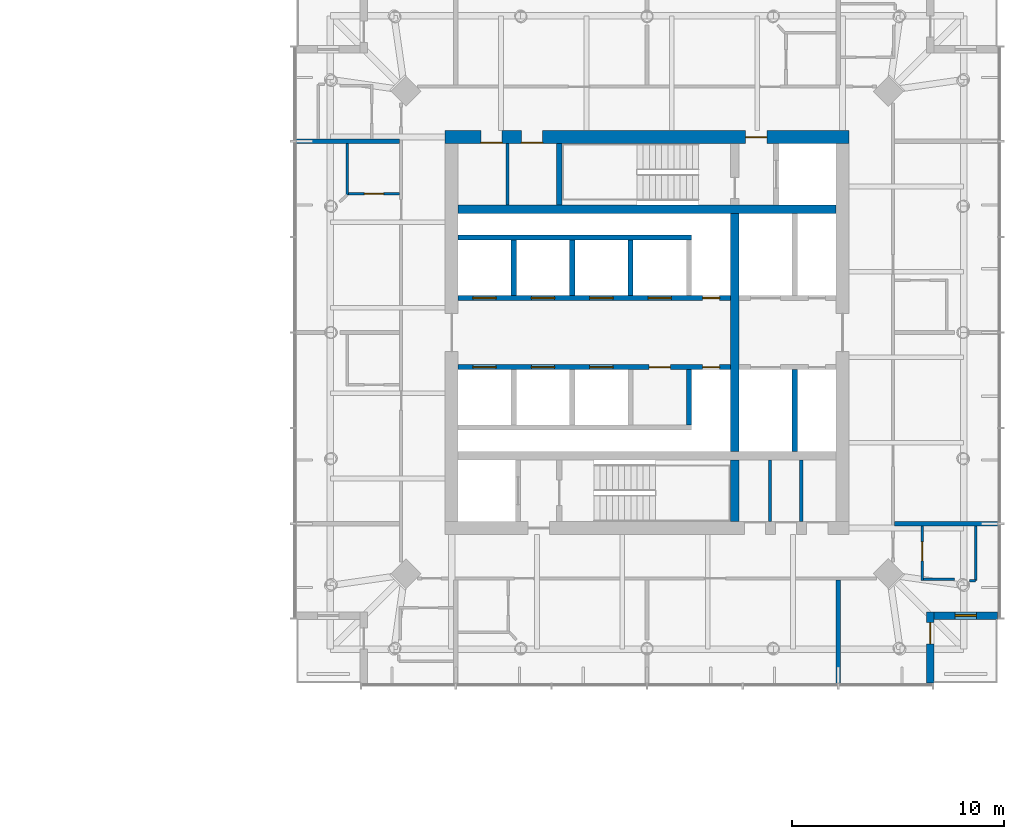
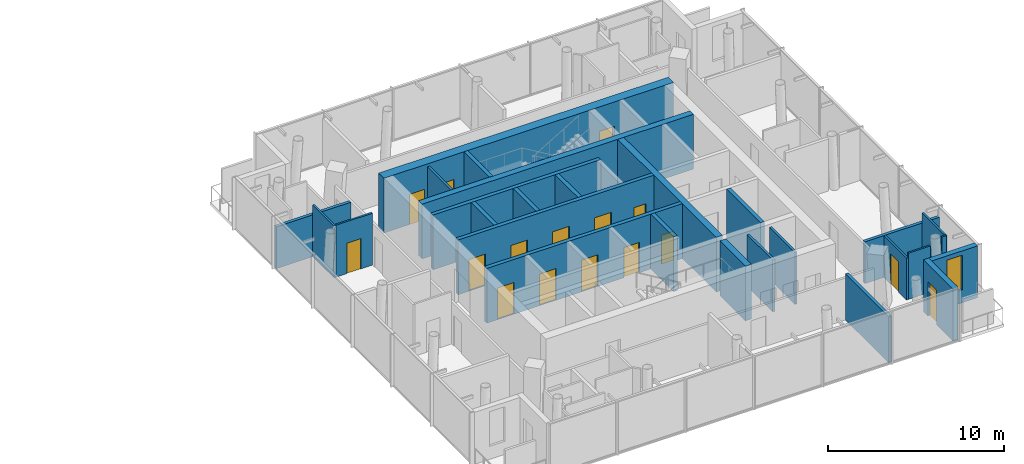
# One storey, part 14 of 19: 27 walls, 16 doors, 1 window, 17 openings.
"""IFC4 building model written with IfcOpenShell, lengths in metres."""

import ifcopenshell
import ifcopenshell.guid

model = None  # the IFC model being written
_history = None  # IfcOwnerHistory: only IFC2X3 demands one
_inside = {}  # id of a spatial element -> (the spatial element, [elements in it])
_under = {}  # id of a project, library or spatial element -> (it, [spatial elements below it])
_declared = {}  # id of a project -> (the project, [libraries it declares])
_typed = {}  # id of a type object -> (the type object, [elements of that type])
_made_of = {}  # id of a material, layer set ... -> (it, [elements and type objects made of it])


def new_model(schema):
    """Start an empty IFC model of exactly this schema.

    Asked for "IFC4X3", IfcOpenShell would pick the latest addendum, in which some entities
    have other attributes; the version numbers below select the first issue.
    IFC2X3 requires an IfcOwnerHistory on every rooted entity: one is made here for all.
    """
    global model, _history
    if schema == "IFC4X3":
        model = ifcopenshell.file(schema_version=(4, 3, 0, 0))
    else:
        model = ifcopenshell.file(schema=schema)
    _inside.clear()
    _under.clear()
    _declared.clear()
    _typed.clear()
    _made_of.clear()
    _history = None
    if model.schema == "IFC2X3":
        org = make("IfcOrganization", Name="unknown")
        user = make(
            "IfcPersonAndOrganization",
            ThePerson=make("IfcPerson", FamilyName="unknown"),
            TheOrganization=org,
        )
        app = make(
            "IfcApplication",
            ApplicationDeveloper=org,
            Version="unknown",
            ApplicationFullName="unknown",
            ApplicationIdentifier="unknown",
        )
        _history = make(
            "IfcOwnerHistory",
            OwningUser=user,
            OwningApplication=app,
            ChangeAction="ADDED",
            CreationDate=0,
        )
    return model


def make(cls, **values):
    """One entity of the class cls with the attributes given. An attribute that is None is left unset."""
    return model.create_entity(
        cls, **{name: value for name, value in values.items() if value is not None}
    )


def rooted(cls, **values):
    """An entity with a GlobalId (a new one), such as an element, a storey or a relation."""
    return make(cls, GlobalId=ifcopenshell.guid.new(), OwnerHistory=_history, **values)


def si_unit(unit_type, name, prefix=None):
    """IfcSIUnit, for example si_unit("LENGTHUNIT", "METRE", prefix="MILLI")."""
    return make("IfcSIUnit", UnitType=unit_type, Prefix=prefix, Name=name)


def assignment(units):
    """IfcUnitAssignment: the units of a project."""
    return None if units is None else make("IfcUnitAssignment", Units=units)


def point(xyz):
    """IfcCartesianPoint."""
    return None if xyz is None else make("IfcCartesianPoint", Coordinates=xyz)


def direction(xyz):
    """IfcDirection."""
    return None if xyz is None else make("IfcDirection", DirectionRatios=xyz)


def frame(location, z_axis=None, x_axis=None):
    """IfcAxis2Placement3D, a coordinate frame: its origin and axes. An axis left out is left unset."""
    return make(
        "IfcAxis2Placement3D",
        Location=point(location),
        Axis=direction(z_axis),
        RefDirection=direction(x_axis),
    )


def frame_2d(location, x_axis=None):
    """IfcAxis2Placement2D, a coordinate frame in the plane: its origin and x axis."""
    return make(
        "IfcAxis2Placement2D", Location=point(location), RefDirection=direction(x_axis)
    )


def origin():
    """The frame at (0, 0, 0) with its axes left unset."""
    return frame((0.0, 0.0, 0.0))


def place(relative_to, where):
    """IfcLocalPlacement: puts the frame where relative to a parent placement (None: the world)."""
    return make(
        "IfcLocalPlacement", PlacementRelTo=relative_to, RelativePlacement=where
    )


def context(
    kind, dimensions, precision=None, world=None, true_north=None, identifier=None
):
    """IfcGeometricRepresentationContext, for example the 3D "Model" context."""
    return make(
        "IfcGeometricRepresentationContext",
        ContextIdentifier=identifier,
        ContextType=kind,
        CoordinateSpaceDimension=dimensions,
        Precision=precision,
        WorldCoordinateSystem=world,
        TrueNorth=true_north,
    )


def subcontext(parent, identifier, kind, view, scale=None):
    """IfcGeometricRepresentationSubContext, for example "Body" below "Model"."""
    return make(
        "IfcGeometricRepresentationSubContext",
        ContextIdentifier=identifier,
        ContextType=kind,
        ParentContext=parent,
        TargetScale=scale,
        TargetView=view,
    )


def project(units=None, contexts=None):
    """IfcProject with its units and contexts."""
    return rooted(
        "IfcProject",
        Name="project",
        RepresentationContexts=contexts,
        UnitsInContext=assignment(units),
    )


def spatial(cls, under=None, at=None, **own):
    """A site, building, storey or space (cls), placed at a placement, below another one or the project."""
    s = rooted(cls, ObjectPlacement=at, **own)
    if under is not None:
        _under.setdefault(under.id(), (under, []))[1].append(s)
    return s


def profile(cls, at=None, kind="AREA", **sizes):
    """A parametric profile (cls). Its sizes go by their IFC names, for example OverallWidth=200.0."""
    return make(cls, ProfileType=kind, Position=at, **sizes)


def rectangle(**sizes):
    """IfcRectangleProfileDef."""
    return profile("IfcRectangleProfileDef", **sizes)


def extrude(swept, where, along, depth):
    """IfcExtrudedAreaSolid: the profile swept, set in the frame where, extruded along a direction by depth."""
    return make(
        "IfcExtrudedAreaSolid",
        SweptArea=swept,
        Position=where,
        ExtrudedDirection=direction(along),
        Depth=depth,
    )


def shape(context_of_items, identifier, shape_type, items):
    """IfcShapeRepresentation: the items that make up one representation, for example the "Body"."""
    return make(
        "IfcShapeRepresentation",
        ContextOfItems=context_of_items,
        RepresentationIdentifier=identifier,
        RepresentationType=shape_type,
        Items=items,
    )


def material(Name=None, Category=None):
    """IfcMaterial."""
    return make("IfcMaterial", Name=Name, Category=Category)


def layer(
    of_material, thickness, ventilated=None, Name=None, Category=None, Priority=None
):
    """IfcMaterialLayer: one layer of a wall or slab, of a material (None: an air gap)."""
    return make(
        "IfcMaterialLayer",
        Material=of_material,
        LayerThickness=thickness,
        IsVentilated=ventilated,
        Name=Name,
        Category=Category,
        Priority=Priority,
    )


def layer_set(layers, Name=None):
    """IfcMaterialLayerSet."""
    return make("IfcMaterialLayerSet", MaterialLayers=layers, LayerSetName=Name)


def made_of(thing, what):
    """Note that an element or type object is made of a material, layer set ...; save() writes the relation."""
    if what is not None:
        _made_of.setdefault(what.id(), (what, []))[1].append(thing)
    return thing


def type_object(cls, material=None, **own):
    """A type object (cls), such as IfcWallType, which elements share."""
    return made_of(rooted(cls, **own), material)


def element(
    cls,
    number,
    at=None,
    inside=None,
    cuts=None,
    type_object=None,
    material=None,
    context=None,
    identifier="Body",
    shape_type=None,
    held_by="IfcProductDefinitionShape",
    body=None,
    shapes=None,
    **own,
):
    """One element of the class cls, such as IfcWall. Its Tag is "e" and its number.

    at: its placement. inside: the storey or other place that contains it. cuts: it is an
    opening in that element (IfcRelVoidsElement). A single representation is given by context,
    identifier, shape_type and body (its items); several are given by shapes. held_by: the class
    of the entity that holds the representations. save() writes the other relations.
    """
    e = rooted(cls, Tag="e%d" % number, ObjectPlacement=at, **own)
    if body is not None:
        shapes = [shape(context, identifier, shape_type, body)]
    if shapes is not None:
        e.Representation = make(held_by, Representations=shapes)
    if inside is not None:
        _inside.setdefault(inside.id(), (inside, []))[1].append(e)
    if cuts is not None:
        rooted(
            "IfcRelVoidsElement", RelatingBuildingElement=cuts, RelatedOpeningElement=e
        )
    if type_object is not None:
        _typed.setdefault(type_object.id(), (type_object, []))[1].append(e)
    return made_of(e, material)


def fill(opening, filler):
    """IfcRelFillsElement: the door or window that sits in an opening."""
    return rooted(
        "IfcRelFillsElement",
        RelatingOpeningElement=opening,
        RelatedBuildingElement=filler,
    )


def aggregate(whole, parts):
    """IfcRelAggregates: a whole, such as a stair, and the parts it consists of."""
    return rooted("IfcRelAggregates", RelatingObject=whole, RelatedObjects=parts)


def save(model, path):
    """Write the relations noted so far, then the file.

    IfcRelAggregates (storeys below a building ...), IfcRelContainedInSpatialStructure (elements
    in a storey), IfcRelDefinesByType, IfcRelAssociatesMaterial and IfcRelDeclares: one each for
    every whole, place, type object, material and project.
    """
    for whole, parts in _under.values():
        aggregate(whole, parts)
    for where, things in _inside.values():
        rooted(
            "IfcRelContainedInSpatialStructure",
            RelatedElements=things,
            RelatingStructure=where,
        )
    for kind, things in _typed.values():
        rooted("IfcRelDefinesByType", RelatedObjects=things, RelatingType=kind)
    for what, things in _made_of.values():
        rooted("IfcRelAssociatesMaterial", RelatedObjects=things, RelatingMaterial=what)
    for by, libraries in _declared.values():
        rooted("IfcRelDeclares", RelatingContext=by, RelatedDefinitions=libraries)
    model.write(path)


model = new_model("IFC4")

# Units and contexts
model_context = context("Model", 3, precision=1e-05, world=origin(), true_north=direction((0.0, 1.0)))
body_context = subcontext(model_context, "Body", "Model", "MODEL_VIEW")
ifc_project = project(units=[si_unit("LENGTHUNIT", "METRE"), si_unit("AREAUNIT", "SQUARE_METRE"), si_unit("VOLUMEUNIT", "CUBIC_METRE"), si_unit("PLANEANGLEUNIT", "RADIAN"), si_unit("MASSUNIT", "GRAM", prefix="KILO")], contexts=[model_context])

# Site, building, storey
site_placement = place(None, origin())
site = spatial("IfcSite", under=ifc_project, at=site_placement, CompositionType="ELEMENT")
building_placement = place(site_placement, origin())
building = spatial("IfcBuilding", under=site, at=building_placement, Name="Ostroluk Exchange", CompositionType="ELEMENT")
storey_placement = place(building_placement, frame((0.0, 0.0, 116.0)))
storey = spatial("IfcBuildingStorey", under=building, at=storey_placement, Name="L29", CompositionType="ELEMENT", Elevation=116.0)

# Walls
ifc_material_1 = material(Name="Concrete blockwork", Category="masonry")
ifc_layer_1 = layer(ifc_material_1, 0.14990234375)
ifc_layer_set_1 = layer_set([ifc_layer_1], Name="Blockwork plant room wall 150")
wall_type_1 = type_object("IfcWallType", Name="Blockwork plant room wall 150", PredefinedType="SOLIDWALL", material=ifc_layer_set_1)
for number, where, z_axis, x_axis, name in (
    (1, (122.79248046875, 37.10009765625, 0.0), (0.0, 0.0, 1.0), (0.0, 1.0, 0.0), "Core room wall"),
    (2, (124.2548828125, 37.10009765625, 0.0), (0.0, 0.0, 1.0), (0.0, 1.0, 0.0), "Core room wall"),
    (3, (110.425048828125, 52.0, 0.0), (0.0, 0.0, 1.0), (0.0, 1.0, 0.0), "Core room wall"),
):
    element("IfcWall", number, at=place(storey_placement, frame(where, z_axis=z_axis, x_axis=x_axis)), inside=storey, type_object=wall_type_1, Name=name, PredefinedType="SOLIDWALL", context=body_context, shape_type="SweptSolid", body=[
        extrude(rectangle(XDim=2.89990234375, YDim=0.14990234375, at=frame_2d((1.449951171875, 0.0))), origin(), (0.0, 0.0, 1.0), 3.60009765625),
    ])
ifc_material_2 = material(Name="Concrete C50/60", Category="concrete")
ifc_layer_2 = layer(ifc_material_2, 0.39990234375)
ifc_layer_set_2 = layer_set([ifc_layer_2], Name="Core cross wall 400 C50/60")
wall_type_2 = type_object("IfcWallType", Name="Core cross wall 400 C50/60", PredefinedType="SHEAR", material=ifc_layer_set_2)
wall_1_placement = place(storey_placement, frame((108.10009765625, 51.800048828125, 0.0), z_axis=(0.0, 0.0, 1.0), x_axis=(1.0, 0.0, 0.0)))
element("IfcWall", 4, at=wall_1_placement, inside=storey, type_object=wall_type_2, Name="T2 core wall XN", PredefinedType="SHEAR", context=body_context, shape_type="SweptSolid", body=[
    extrude(rectangle(XDim=17.7998046875, YDim=0.39990234375, at=frame_2d((8.89990234375, 0.0))), origin(), (0.0, 0.0, 1.0), 3.800048828125),
])
wall_2_placement = place(storey_placement, frame((121.1298828125, 37.10009765625, 0.0), z_axis=(0.0, 0.0, 1.0), x_axis=(0.0, 1.0, 0.0)))
element("IfcWall", 5, at=wall_2_placement, inside=storey, type_object=wall_type_2, Name="T2 core wall YE1", PredefinedType="SHEAR", context=body_context, shape_type="SweptSolid", body=[
    extrude(rectangle(XDim=2.89990234375, YDim=0.39990234375, at=frame_2d((1.449951171875, 0.0))), origin(), (0.0, 0.0, 1.0), 3.800048828125),
])
wall_3_placement = place(storey_placement, frame((121.1298828125, 40.39990234375, 0.0), z_axis=(0.0, 0.0, 1.0), x_axis=(0.0, 1.0, 0.0)))
element("IfcWall", 6, at=wall_3_placement, inside=storey, type_object=wall_type_2, Name="T2 core wall YE2", PredefinedType="SHEAR", context=body_context, shape_type="SweptSolid", body=[
    extrude(rectangle(XDim=11.2001953125, YDim=0.39990234375, at=frame_2d((5.60009765625, 0.0))), origin(), (0.0, 0.0, 1.0), 3.800048828125),
])
ifc_material_3 = material(Name="Concrete C40/50", Category="concrete")
ifc_layer_3 = layer(ifc_material_3, 0.25)
ifc_layer_set_3 = layer_set([ifc_layer_3], Name="Core shaft wall 250")
wall_type_3 = type_object("IfcWallType", Name="Core shaft wall 250", PredefinedType="SHEAR", material=ifc_layer_set_3)
wall_4_placement = place(storey_placement, frame((112.875, 52.0, 0.0), z_axis=(0.0, 0.0, 1.0), x_axis=(0.0, 1.0, 0.0)))
element("IfcWall", 7, at=wall_4_placement, inside=storey, type_object=wall_type_3, Name="Stair shaft wall", PredefinedType="SHEAR", context=body_context, shape_type="SweptSolid", body=[
    extrude(rectangle(XDim=2.89990234375, YDim=0.25, at=frame_2d((1.449951171875, 0.0))), origin(), (0.0, 0.0, 1.0), 3.800048828125),
])
for number, where, z_axis, x_axis, name in (
    (8, (110.72509765625, 47.75, 0.0), (0.0, 0.0, 1.0), (0.0, 1.0, 0.0), "Lift shaft wall"),
    (9, (113.47509765625, 47.75, 0.0), (0.0, 0.0, 1.0), (0.0, 1.0, 0.0), "Lift shaft wall"),
    (10, (116.22509765625, 47.75, 0.0), (0.0, 0.0, 1.0), (0.0, 1.0, 0.0), "Lift shaft wall"),
):
    element("IfcWall", number, at=place(storey_placement, frame(where, z_axis=z_axis, x_axis=x_axis)), inside=storey, type_object=wall_type_3, Name=name, PredefinedType="SHEAR", context=body_context, shape_type="SweptSolid", body=[
        extrude(rectangle(XDim=2.60009765625, YDim=0.25, at=frame_2d((1.300048828125, 0.0))), origin(), (0.0, 0.0, 1.0), 3.800048828125),
    ])
wall_5_placement = place(storey_placement, frame((108.10009765625, 50.47509765625, 0.0), z_axis=(0.0, 0.0, 1.0), x_axis=(1.0, 0.0, 0.0)))
element("IfcWall", 11, at=wall_5_placement, inside=storey, type_object=wall_type_3, Name="Lift shaft wall", PredefinedType="SHEAR", context=body_context, shape_type="SweptSolid", body=[
    extrude(rectangle(XDim=11.0, YDim=0.25, at=frame_2d((5.5, 0.0))), origin(), (0.0, 0.0, 1.0), 3.800048828125),
])

# Wall, openings, doors
wall_6_placement = place(storey_placement, frame((108.10009765625, 47.625, 0.0), z_axis=(0.0, 0.0, 1.0), x_axis=(1.0, 0.0, 0.0)))
wall_6 = element("IfcWall", 12, at=wall_6_placement, inside=storey, type_object=wall_type_3, Name="Lift shaft front wall", PredefinedType="SHEAR", context=body_context, shape_type="SweptSolid", body=[
    extrude(rectangle(XDim=12.829833984375, YDim=0.25, at=frame_2d((6.4150390625, 0.0))), origin(), (0.0, 0.0, 1.0), 3.800048828125),
])
opening_1_placement = place(wall_6_placement, frame((0.699951171875, 0.0, 0.0)))
opening_1 = element("IfcOpeningElement", 13, at=opening_1_placement, cuts=wall_6, Name="Opening LD", PredefinedType="OPENING", context=body_context, shape_type="SweptSolid", body=[
    extrude(rectangle(XDim=1.10009765625, YDim=2.199951171875, at=frame_2d((0.550048828125, 1.10009765625))), frame((0.0, 0.135009765625, 0.0), z_axis=(0.0, -1.0, 0.0), x_axis=(1.0, 0.0, 0.0)), (0.0, 0.0, 1.0), 0.27001953125),
])
opening_2_placement = place(wall_6_placement, frame((3.449951171875, 0.0, 0.0)))
opening_2 = element("IfcOpeningElement", 14, at=opening_2_placement, cuts=wall_6, Name="Opening LD", PredefinedType="OPENING", context=body_context, shape_type="SweptSolid", body=[
    extrude(rectangle(XDim=1.10009765625, YDim=2.199951171875, at=frame_2d((0.550048828125, 1.10009765625))), frame((0.0, 0.135009765625, 0.0), z_axis=(0.0, -1.0, 0.0), x_axis=(1.0, 0.0, 0.0)), (0.0, 0.0, 1.0), 0.27001953125),
])
opening_3_placement = place(wall_6_placement, frame((6.199951171875, 0.0, 0.0)))
opening_3 = element("IfcOpeningElement", 15, at=opening_3_placement, cuts=wall_6, Name="Opening LD", PredefinedType="OPENING", context=body_context, shape_type="SweptSolid", body=[
    extrude(rectangle(XDim=1.10009765625, YDim=2.199951171875, at=frame_2d((0.550048828125, 1.10009765625))), frame((0.0, 0.135009765625, 0.0), z_axis=(0.0, -1.0, 0.0), x_axis=(1.0, 0.0, 0.0)), (0.0, 0.0, 1.0), 0.27001953125),
])
opening_4_placement = place(wall_6_placement, frame((8.949951171875, 0.0, 0.0)))
opening_4 = element("IfcOpeningElement", 16, at=opening_4_placement, cuts=wall_6, Name="Opening LD", PredefinedType="OPENING", context=body_context, shape_type="SweptSolid", body=[
    extrude(rectangle(XDim=1.10009765625, YDim=2.199951171875, at=frame_2d((0.550048828125, 1.10009765625))), frame((0.0, 0.135009765625, 0.0), z_axis=(0.0, -1.0, 0.0), x_axis=(1.0, 0.0, 0.0)), (0.0, 0.0, 1.0), 0.27001953125),
])
opening_5_placement = place(wall_6_placement, frame((11.514892578125, 0.0, 0.0)))
opening_5 = element("IfcOpeningElement", 17, at=opening_5_placement, cuts=wall_6, Name="Opening RD60", PredefinedType="OPENING", context=body_context, shape_type="SweptSolid", body=[
    extrude(rectangle(XDim=0.800048828125, YDim=2.0, at=frame_2d((0.39990234375, 1.0))), frame((0.0, 0.135009765625, 0.0), z_axis=(0.0, -1.0, 0.0), x_axis=(1.0, 0.0, 0.0)), (0.0, 0.0, 1.0), 0.27001953125),
])
ifc_material_4 = material(Name="Stainless steel", Category="steel")
door_type_1 = type_object("IfcDoorType", Name="Lift landing door E 60 1100 x 2200", OperationType="DOUBLE_DOOR_SLIDING", PredefinedType="DOOR", material=ifc_material_4)
door_1_placement = place(opening_1_placement, origin())
door_1 = element("IfcDoor", 18, at=door_1_placement, inside=storey, type_object=door_type_1, Name="Lift HL1 landing door", OperationType="DOUBLE_DOOR_SLIDING", OverallHeight=2.199951171875, OverallWidth=1.10009765625, PredefinedType="DOOR", context=body_context, shape_type="SweptSolid", body=[
    extrude(rectangle(XDim=1.10009765625, YDim=2.199951171875, at=frame_2d((0.550048828125, 1.10009765625))), frame((0.0, 0.02490234375, 0.0), z_axis=(0.0, -1.0, 0.0), x_axis=(1.0, 0.0, 0.0)), (0.0, 0.0, 1.0), 0.050048828125),
])
fill(opening_1, door_1)
door_2_placement = place(opening_2_placement, origin())
door_2 = element("IfcDoor", 19, at=door_2_placement, inside=storey, type_object=door_type_1, Name="Lift HL2 landing door", OperationType="DOUBLE_DOOR_SLIDING", OverallHeight=2.199951171875, OverallWidth=1.10009765625, PredefinedType="DOOR", context=body_context, shape_type="SweptSolid", body=[
    extrude(rectangle(XDim=1.10009765625, YDim=2.199951171875, at=frame_2d((0.550048828125, 1.10009765625))), frame((0.0, 0.02490234375, 0.0), z_axis=(0.0, -1.0, 0.0), x_axis=(1.0, 0.0, 0.0)), (0.0, 0.0, 1.0), 0.050048828125),
])
fill(opening_2, door_2)
door_3_placement = place(opening_3_placement, origin())
door_3 = element("IfcDoor", 20, at=door_3_placement, inside=storey, type_object=door_type_1, Name="Lift HL3 landing door", OperationType="DOUBLE_DOOR_SLIDING", OverallHeight=2.199951171875, OverallWidth=1.10009765625, PredefinedType="DOOR", context=body_context, shape_type="SweptSolid", body=[
    extrude(rectangle(XDim=1.10009765625, YDim=2.199951171875, at=frame_2d((0.550048828125, 1.10009765625))), frame((0.0, 0.02490234375, 0.0), z_axis=(0.0, -1.0, 0.0), x_axis=(1.0, 0.0, 0.0)), (0.0, 0.0, 1.0), 0.050048828125),
])
fill(opening_3, door_3)
door_4_placement = place(opening_4_placement, origin())
door_4 = element("IfcDoor", 21, at=door_4_placement, inside=storey, type_object=door_type_1, Name="Lift HL4 landing door", OperationType="DOUBLE_DOOR_SLIDING", OverallHeight=2.199951171875, OverallWidth=1.10009765625, PredefinedType="DOOR", context=body_context, shape_type="SweptSolid", body=[
    extrude(rectangle(XDim=1.10009765625, YDim=2.199951171875, at=frame_2d((0.550048828125, 1.10009765625))), frame((0.0, 0.02490234375, 0.0), z_axis=(0.0, -1.0, 0.0), x_axis=(1.0, 0.0, 0.0)), (0.0, 0.0, 1.0), 0.050048828125),
])
fill(opening_4, door_4)
ifc_material_5 = material(Name="Steel", Category="steel")
door_type_2 = type_object("IfcDoorType", Name="Riser access door EI 60 800 x 2000", OperationType="SINGLE_SWING_LEFT", PredefinedType="DOOR", material=ifc_material_5)
door_5_placement = place(opening_5_placement, origin())
door_5 = element("IfcDoor", 22, at=door_5_placement, inside=storey, type_object=door_type_2, Name="Riser access door", OperationType="SINGLE_SWING_RIGHT", OverallHeight=2.0, OverallWidth=0.800048828125, PredefinedType="DOOR", context=body_context, shape_type="SweptSolid", body=[
    extrude(rectangle(XDim=0.800048828125, YDim=2.0, at=frame_2d((0.39990234375, 1.0))), frame((0.0, 0.02490234375, 0.0), z_axis=(0.0, -1.0, 0.0), x_axis=(1.0, 0.0, 0.0)), (0.0, 0.0, 1.0), 0.050048828125),
])
fill(opening_5, door_5)

# Wall
wall_7_placement = place(storey_placement, frame((118.97509765625, 44.25, 0.0), z_axis=(0.0, 0.0, 1.0), x_axis=(0.0, -1.0, 0.0)))
element("IfcWall", 23, at=wall_7_placement, inside=storey, type_object=wall_type_3, Name="Lift shaft wall", PredefinedType="SHEAR", context=body_context, shape_type="SweptSolid", body=[
    extrude(rectangle(XDim=2.60009765625, YDim=0.25, at=frame_2d((1.300048828125, 0.0))), origin(), (0.0, 0.0, 1.0), 3.800048828125),
])

# Wall, openings, doors
wall_8_placement = place(storey_placement, frame((108.10009765625, 44.375, 0.0), z_axis=(0.0, 0.0, 1.0), x_axis=(1.0, 0.0, 0.0)))
wall_8 = element("IfcWall", 24, at=wall_8_placement, inside=storey, type_object=wall_type_3, Name="Lift shaft front wall", PredefinedType="SHEAR", context=body_context, shape_type="SweptSolid", body=[
    extrude(rectangle(XDim=12.829833984375, YDim=0.25, at=frame_2d((6.4150390625, 0.0))), origin(), (0.0, 0.0, 1.0), 3.800048828125),
])
opening_6_placement = place(wall_8_placement, frame((0.699951171875, 0.0, 0.0)))
opening_6 = element("IfcOpeningElement", 25, at=opening_6_placement, cuts=wall_8, Name="Opening LD", PredefinedType="OPENING", context=body_context, shape_type="SweptSolid", body=[
    extrude(rectangle(XDim=1.10009765625, YDim=2.199951171875, at=frame_2d((0.550048828125, 1.10009765625))), frame((0.0, 0.135009765625, 0.0), z_axis=(0.0, -1.0, 0.0), x_axis=(1.0, 0.0, 0.0)), (0.0, 0.0, 1.0), 0.27001953125),
])
opening_7_placement = place(wall_8_placement, frame((3.449951171875, 0.0, 0.0)))
opening_7 = element("IfcOpeningElement", 26, at=opening_7_placement, cuts=wall_8, Name="Opening LD", PredefinedType="OPENING", context=body_context, shape_type="SweptSolid", body=[
    extrude(rectangle(XDim=1.10009765625, YDim=2.199951171875, at=frame_2d((0.550048828125, 1.10009765625))), frame((0.0, 0.135009765625, 0.0), z_axis=(0.0, -1.0, 0.0), x_axis=(1.0, 0.0, 0.0)), (0.0, 0.0, 1.0), 0.27001953125),
])
opening_8_placement = place(wall_8_placement, frame((6.199951171875, 0.0, 0.0)))
opening_8 = element("IfcOpeningElement", 27, at=opening_8_placement, cuts=wall_8, Name="Opening LD", PredefinedType="OPENING", context=body_context, shape_type="SweptSolid", body=[
    extrude(rectangle(XDim=1.10009765625, YDim=2.199951171875, at=frame_2d((0.550048828125, 1.10009765625))), frame((0.0, 0.135009765625, 0.0), z_axis=(0.0, -1.0, 0.0), x_axis=(1.0, 0.0, 0.0)), (0.0, 0.0, 1.0), 0.27001953125),
])
opening_9_placement = place(wall_8_placement, frame((9.0, 0.0, 0.0)))
opening_9 = element("IfcOpeningElement", 28, at=opening_9_placement, cuts=wall_8, Name="Opening FD60", PredefinedType="OPENING", context=body_context, shape_type="SweptSolid", body=[
    extrude(rectangle(XDim=1.0, YDim=2.10009765625, at=frame_2d((0.5, 1.050048828125))), frame((0.0, 0.135009765625, 0.0), z_axis=(0.0, -1.0, 0.0), x_axis=(1.0, 0.0, 0.0)), (0.0, 0.0, 1.0), 0.27001953125),
])
opening_10_placement = place(wall_8_placement, frame((11.514892578125, 0.0, 0.0)))
opening_10 = element("IfcOpeningElement", 29, at=opening_10_placement, cuts=wall_8, Name="Opening RD60", PredefinedType="OPENING", context=body_context, shape_type="SweptSolid", body=[
    extrude(rectangle(XDim=0.800048828125, YDim=2.0, at=frame_2d((0.39990234375, 1.0))), frame((0.0, 0.135009765625, 0.0), z_axis=(0.0, -1.0, 0.0), x_axis=(1.0, 0.0, 0.0)), (0.0, 0.0, 1.0), 0.27001953125),
])
ifc_material_6 = material(Name="Steel", Category="steel")
door_type_3 = type_object("IfcDoorType", Name="Fire door EI 60 1000 x 2100", OperationType="SINGLE_SWING_LEFT", PredefinedType="DOOR", material=ifc_material_6)
door_6_placement = place(opening_9_placement, origin())
door_6 = element("IfcDoor", 30, at=door_6_placement, inside=storey, type_object=door_type_3, Name="Core room door", OperationType="SINGLE_SWING_RIGHT", OverallHeight=2.10009765625, OverallWidth=1.0, PredefinedType="DOOR", context=body_context, shape_type="SweptSolid", body=[
    extrude(rectangle(XDim=1.0, YDim=2.10009765625, at=frame_2d((0.5, 1.050048828125))), frame((0.0, 0.02490234375, 0.0), z_axis=(0.0, -1.0, 0.0), x_axis=(1.0, 0.0, 0.0)), (0.0, 0.0, 1.0), 0.050048828125),
])
fill(opening_9, door_6)
door_7_placement = place(opening_6_placement, origin())
door_7 = element("IfcDoor", 31, at=door_7_placement, inside=storey, type_object=door_type_1, Name="Lift HL5 landing door", OperationType="DOUBLE_DOOR_SLIDING", OverallHeight=2.199951171875, OverallWidth=1.10009765625, PredefinedType="DOOR", context=body_context, shape_type="SweptSolid", body=[
    extrude(rectangle(XDim=1.10009765625, YDim=2.199951171875, at=frame_2d((0.550048828125, 1.10009765625))), frame((0.0, 0.02490234375, 0.0), z_axis=(0.0, -1.0, 0.0), x_axis=(1.0, 0.0, 0.0)), (0.0, 0.0, 1.0), 0.050048828125),
])
fill(opening_6, door_7)
door_8_placement = place(opening_7_placement, origin())
door_8 = element("IfcDoor", 32, at=door_8_placement, inside=storey, type_object=door_type_1, Name="Lift HL6 landing door", OperationType="DOUBLE_DOOR_SLIDING", OverallHeight=2.199951171875, OverallWidth=1.10009765625, PredefinedType="DOOR", context=body_context, shape_type="SweptSolid", body=[
    extrude(rectangle(XDim=1.10009765625, YDim=2.199951171875, at=frame_2d((0.550048828125, 1.10009765625))), frame((0.0, 0.02490234375, 0.0), z_axis=(0.0, -1.0, 0.0), x_axis=(1.0, 0.0, 0.0)), (0.0, 0.0, 1.0), 0.050048828125),
])
fill(opening_7, door_8)
door_9_placement = place(opening_8_placement, origin())
door_9 = element("IfcDoor", 33, at=door_9_placement, inside=storey, type_object=door_type_1, Name="Lift HL7 landing door", OperationType="DOUBLE_DOOR_SLIDING", OverallHeight=2.199951171875, OverallWidth=1.10009765625, PredefinedType="DOOR", context=body_context, shape_type="SweptSolid", body=[
    extrude(rectangle(XDim=1.10009765625, YDim=2.199951171875, at=frame_2d((0.550048828125, 1.10009765625))), frame((0.0, 0.02490234375, 0.0), z_axis=(0.0, -1.0, 0.0), x_axis=(1.0, 0.0, 0.0)), (0.0, 0.0, 1.0), 0.050048828125),
])
fill(opening_8, door_9)
door_10_placement = place(opening_10_placement, origin())
door_10 = element("IfcDoor", 34, at=door_10_placement, inside=storey, type_object=door_type_2, Name="Riser access door", OperationType="SINGLE_SWING_RIGHT", OverallHeight=2.0, OverallWidth=0.800048828125, PredefinedType="DOOR", context=body_context, shape_type="SweptSolid", body=[
    extrude(rectangle(XDim=0.800048828125, YDim=2.0, at=frame_2d((0.39990234375, 1.0))), frame((0.0, 0.02490234375, 0.0), z_axis=(0.0, -1.0, 0.0), x_axis=(1.0, 0.0, 0.0)), (0.0, 0.0, 1.0), 0.050048828125),
])
fill(opening_10, door_10)

# Wall
wall_9_placement = place(storey_placement, frame((123.955078125, 44.25, 0.0), z_axis=(0.0, 0.0, 1.0), x_axis=(0.0, -1.0, 0.0)))
element("IfcWall", 35, at=wall_9_placement, inside=storey, type_object=wall_type_3, Name="Lift shaft wall", PredefinedType="SHEAR", context=body_context, shape_type="SweptSolid", body=[
    extrude(rectangle(XDim=3.85009765625, YDim=0.25, at=frame_2d((1.925048828125, 0.0))), origin(), (0.0, 0.0, 1.0), 3.800048828125),
])

# Wall, openings, doors
ifc_material_7 = material(Name="Concrete C50/60", Category="concrete")
ifc_layer_4 = layer(ifc_material_7, 0.60009765625)
ifc_layer_set_4 = layer_set([ifc_layer_4], Name="Core wall 600 C50/60")
wall_type_4 = type_object("IfcWallType", Name="Core wall 600 C50/60", PredefinedType="SHEAR", material=ifc_layer_set_4)
wall_10_placement = place(storey_placement, frame((107.5, 55.199951171875, 0.0), z_axis=(0.0, 0.0, 1.0), x_axis=(1.0, 0.0, 0.0)))
wall_10 = element("IfcWall", 36, at=wall_10_placement, inside=storey, type_object=wall_type_4, Name="T2 core wall N", PredefinedType="SHEAR", context=body_context, shape_type="SweptSolid", body=[
    extrude(rectangle(XDim=19.0, YDim=0.60009765625, at=frame_2d((9.5, 0.0))), origin(), (0.0, 0.0, 1.0), 3.800048828125),
])
opening_11_placement = place(wall_10_placement, frame((14.139892578125, 0.0, 0.0)))
opening_11 = element("IfcOpeningElement", 37, at=opening_11_placement, cuts=wall_10, Name="Opening FD60", PredefinedType="OPENING", context=body_context, shape_type="SweptSolid", body=[
    extrude(rectangle(XDim=1.0, YDim=2.10009765625, at=frame_2d((0.5, 1.050048828125))), frame((0.0, 0.31005859375, 0.0), z_axis=(0.0, -1.0, 0.0), x_axis=(1.0, 0.0, 0.0)), (0.0, 0.0, 1.0), 0.6201171875),
])
opening_12_placement = place(wall_10_placement, frame((1.675048828125, 0.0, 0.0)))
opening_12 = element("IfcOpeningElement", 38, at=opening_12_placement, cuts=wall_10, Name="Opening FD60", PredefinedType="OPENING", context=body_context, shape_type="SweptSolid", body=[
    extrude(rectangle(XDim=1.0, YDim=2.10009765625, at=frame_2d((0.5, 1.050048828125))), frame((0.0, 0.31005859375, 0.0), z_axis=(0.0, -1.0, 0.0), x_axis=(1.0, 0.0, 0.0)), (0.0, 0.0, 1.0), 0.6201171875),
])
opening_13_placement = place(wall_10_placement, frame((3.58740234375, 0.0, 0.0)))
opening_13 = element("IfcOpeningElement", 39, at=opening_13_placement, cuts=wall_10, Name="Opening FD60", PredefinedType="OPENING", context=body_context, shape_type="SweptSolid", body=[
    extrude(rectangle(XDim=1.0, YDim=2.10009765625, at=frame_2d((0.5, 1.050048828125))), frame((0.0, 0.31005859375, 0.0), z_axis=(0.0, -1.0, 0.0), x_axis=(1.0, 0.0, 0.0)), (0.0, 0.0, 1.0), 0.6201171875),
])
door_11_placement = place(opening_11_placement, origin())
door_11 = element("IfcDoor", 40, at=door_11_placement, inside=storey, type_object=door_type_3, Name="Firefighting lobby door", OperationType="SINGLE_SWING_RIGHT", OverallHeight=2.10009765625, OverallWidth=1.0, PredefinedType="DOOR", context=body_context, shape_type="SweptSolid", body=[
    extrude(rectangle(XDim=1.0, YDim=2.10009765625, at=frame_2d((0.5, 1.050048828125))), frame((0.0, 0.02490234375, 0.0), z_axis=(0.0, -1.0, 0.0), x_axis=(1.0, 0.0, 0.0)), (0.0, 0.0, 1.0), 0.050048828125),
])
fill(opening_11, door_11)
door_12_placement = place(opening_12_placement, origin())
door_12 = element("IfcDoor", 41, at=door_12_placement, inside=storey, type_object=door_type_3, Name="Ice and vending room door", OperationType="SINGLE_SWING_LEFT", OverallHeight=2.10009765625, OverallWidth=1.0, PredefinedType="DOOR", context=body_context, shape_type="SweptSolid", body=[
    extrude(rectangle(XDim=1.0, YDim=2.10009765625, at=frame_2d((0.5, 1.050048828125))), frame((0.0, -0.23974609375, 0.0), z_axis=(0.0, -1.0, 0.0), x_axis=(1.0, 0.0, 0.0)), (0.0, 0.0, 1.0), 0.050048828125),
])
fill(opening_12, door_12)
door_13_placement = place(opening_13_placement, origin())
door_13 = element("IfcDoor", 42, at=door_13_placement, inside=storey, type_object=door_type_3, Name="Room-service pantry door", OperationType="SINGLE_SWING_LEFT", OverallHeight=2.10009765625, OverallWidth=1.0, PredefinedType="DOOR", context=body_context, shape_type="SweptSolid", body=[
    extrude(rectangle(XDim=1.0, YDim=2.10009765625, at=frame_2d((0.5, 1.050048828125))), frame((0.0, -0.23974609375, 0.0), z_axis=(0.0, -1.0, 0.0), x_axis=(1.0, 0.0, 0.0)), (0.0, 0.0, 1.0), 0.050048828125),
])
fill(opening_13, door_13)

# Wall, opening, door
ifc_material_8 = material(Name="Limestone", Category="masonry")
ifc_layer_5 = layer(ifc_material_8, 0.35009765625)
ifc_layer_set_5 = layer_set([ifc_layer_5], Name="Limestone facade wall 350")
wall_type_5 = type_object("IfcWallType", Name="Limestone facade wall 350", PredefinedType="SOLIDWALL", material=ifc_layer_set_5)
wall_11_placement = place(storey_placement, frame((130.324951171875, 29.5, 0.0), z_axis=(0.0, 0.0, 1.0), x_axis=(0.0, 1.0, 0.0)))
wall_11 = element("IfcWall", 43, at=wall_11_placement, inside=storey, type_object=wall_type_5, Name="Hotel tower SE corner wall L29 a", PredefinedType="SOLIDWALL", context=body_context, shape_type="SweptSolid", body=[
    extrude(rectangle(XDim=3.35009765625, YDim=0.35009765625, at=frame_2d((1.675048828125, 0.0))), origin(), (0.0, 0.0, 1.0), 3.60009765625),
])
opening_14_placement = place(wall_11_placement, frame((1.85009765625, 0.0, 0.0)))
opening_14 = element("IfcOpeningElement", 44, at=opening_14_placement, cuts=wall_11, Name="Opening D-B1", PredefinedType="OPENING", context=body_context, shape_type="SweptSolid", body=[
    extrude(rectangle(XDim=1.0, YDim=2.39990234375, at=frame_2d((0.5, 1.199951171875))), frame((0.0, 0.18505859375, 0.0), z_axis=(0.0, -1.0, 0.0), x_axis=(1.0, 0.0, 0.0)), (0.0, 0.0, 1.0), 0.3701171875),
])
ifc_material_9 = material(Name="Bronze framed glazed door", Category="aluminium")
door_type_4 = type_object("IfcDoorType", Name="Balcony door 1000 x 2400", OperationType="SINGLE_SWING_LEFT", PredefinedType="DOOR", material=ifc_material_9)
door_14_placement = place(opening_14_placement, origin())
door_14 = element("IfcDoor", 45, at=door_14_placement, inside=storey, type_object=door_type_4, Name="Hotel tower SE balcony door L29", OperationType="SINGLE_SWING_RIGHT", OverallHeight=2.39990234375, OverallWidth=1.0, PredefinedType="DOOR", context=body_context, shape_type="SweptSolid", body=[
    extrude(rectangle(XDim=1.0, YDim=2.39990234375, at=frame_2d((0.5, 1.199951171875))), frame((0.0, 0.02490234375, 0.0), z_axis=(0.0, -1.0, 0.0), x_axis=(1.0, 0.0, 0.0)), (0.0, 0.0, 1.0), 0.050048828125),
])
fill(opening_14, door_14)

# Wall, opening, window
wall_12_placement = place(storey_placement, frame((130.5, 32.675048828125, 0.0), z_axis=(0.0, 0.0, 1.0), x_axis=(1.0, 0.0, 0.0)))
wall_12 = element("IfcWall", 46, at=wall_12_placement, inside=storey, type_object=wall_type_5, Name="Hotel tower SE corner wall L29 b", PredefinedType="SOLIDWALL", context=body_context, shape_type="SweptSolid", body=[
    extrude(rectangle(XDim=3.0, YDim=0.35009765625, at=frame_2d((1.5, 0.0))), origin(), (0.0, 0.0, 1.0), 3.60009765625),
])
opening_15_placement = place(wall_12_placement, frame((1.0, 0.0, 0.89990234375)))
opening_15 = element("IfcOpeningElement", 47, at=opening_15_placement, cuts=wall_12, Name="Opening WN-L3", PredefinedType="OPENING", context=body_context, shape_type="SweptSolid", body=[
    extrude(rectangle(XDim=1.0, YDim=2.39990234375, at=frame_2d((0.5, 1.199951171875))), frame((0.0, 0.18505859375, 0.0), z_axis=(0.0, -1.0, 0.0), x_axis=(1.0, 0.0, 0.0)), (0.0, 0.0, 1.0), 0.3701171875),
])
ifc_material_10 = material(Name="Laminated clear glass", Category="glass")
window_type = type_object("IfcWindowType", Name="Hotel lancet window 1000 x 2400", PartitioningType="SINGLE_PANEL", PredefinedType="WINDOW", material=ifc_material_10)
window_placement = place(opening_15_placement, origin())
window = element("IfcWindow", 48, at=window_placement, inside=storey, type_object=window_type, Name="Hotel tower SE lancet window L29", OverallHeight=2.39990234375, OverallWidth=1.0, PartitioningType="SINGLE_PANEL", PredefinedType="WINDOW", context=body_context, shape_type="SweptSolid", body=[
    extrude(rectangle(XDim=1.0, YDim=2.39990234375, at=frame_2d((0.5, 1.199951171875))), frame((0.0, 0.030029296875, 0.0), z_axis=(0.0, -1.0, 0.0), x_axis=(1.0, 0.0, 0.0)), (0.0, 0.0, 1.0), 0.06005859375),
])
fill(opening_15, window)

# Wall, opening, door
ifc_material_11 = material(Name="Gypsum plasterboard partition, moisture resistant", Category="gypsum")
ifc_layer_6 = layer(ifc_material_11, 0.1201171875)
ifc_layer_set_6 = layer_set([ifc_layer_6], Name="Plasterboard en-suite wall 120")
wall_type_6 = type_object("IfcWallType", Name="Plasterboard en-suite wall 120", PredefinedType="PARTITIONING", material=ifc_layer_set_6)
wall_13_placement = place(storey_placement, frame((129.949951171875, 36.89990234375, 0.0), z_axis=(0.0, 0.0, 1.0), x_axis=(0.0, -1.0, 0.0)))
wall_13 = element("IfcWall", 49, at=wall_13_placement, inside=storey, type_object=wall_type_6, Name="En-suite wall", PredefinedType="PARTITIONING", context=body_context, shape_type="SweptSolid", body=[
    extrude(rectangle(XDim=2.579833984375, YDim=0.1201171875, at=frame_2d((1.2900390625, 0.0))), origin(), (0.0, 0.0, 1.0), 2.89990234375),
])
opening_16_placement = place(wall_13_placement, frame((0.75, 0.0, 0.0)))
opening_16 = element("IfcOpeningElement", 50, at=opening_16_placement, cuts=wall_13, Name="Opening D-02", PredefinedType="OPENING", context=body_context, shape_type="SweptSolid", body=[
    extrude(rectangle(XDim=0.89990234375, YDim=2.10009765625, at=frame_2d((0.449951171875, 1.050048828125))), frame((0.0, 0.070068359375, 0.0), z_axis=(0.0, -1.0, 0.0), x_axis=(1.0, 0.0, 0.0)), (0.0, 0.0, 1.0), 0.14013671875),
])
ifc_material_12 = material(Name="Timber", Category="wood")
door_type_5 = type_object("IfcDoorType", Name="En-suite door 900 x 2100", OperationType="SINGLE_SWING_LEFT", PredefinedType="DOOR", material=ifc_material_12)
door_15_placement = place(opening_16_placement, origin())
door_15 = element("IfcDoor", 51, at=door_15_placement, inside=storey, type_object=door_type_5, Name="En-suite door 2901", OperationType="SINGLE_SWING_LEFT", OverallHeight=2.10009765625, OverallWidth=0.89990234375, PredefinedType="DOOR", context=body_context, shape_type="SweptSolid", body=[
    extrude(rectangle(XDim=0.89990234375, YDim=2.10009765625, at=frame_2d((0.449951171875, 1.050048828125))), frame((0.0, 0.02490234375, 0.0), z_axis=(0.0, -1.0, 0.0), x_axis=(1.0, 0.0, 0.0)), (0.0, 0.0, 1.0), 0.050048828125),
])
fill(opening_16, door_15)

# Walls
wall_14_placement = place(storey_placement, frame((132.469970703125, 36.89990234375, 0.0), z_axis=(0.0, 0.0, 1.0), x_axis=(0.0, -1.0, 0.0)))
element("IfcWall", 52, at=wall_14_placement, inside=storey, type_object=wall_type_6, Name="En-suite wall", PredefinedType="PARTITIONING", context=body_context, shape_type="SweptSolid", body=[
    extrude(rectangle(XDim=2.579833984375, YDim=0.1201171875, at=frame_2d((1.2900390625, 0.0))), origin(), (0.0, 0.0, 1.0), 3.60009765625),
])
wall_15_placement = place(storey_placement, frame((130.010009765625, 34.3798828125, 0.0), z_axis=(0.0, 0.0, 1.0), x_axis=(1.0, 0.0, 0.0)))
element("IfcWall", 53, at=wall_15_placement, inside=storey, type_object=wall_type_6, Name="En-suite wall", PredefinedType="PARTITIONING", context=body_context, shape_type="SweptSolid", body=[
    extrude(rectangle(XDim=1.451904296875, YDim=0.1201171875, at=frame_2d((0.72607421875, 0.0))), origin(), (0.0, 0.0, 1.0), 3.199951171875),
])
wall_16_placement = place(storey_placement, frame((102.889892578125, 54.89990234375, 0.0), z_axis=(0.0, 0.0, 1.0), x_axis=(0.0, -1.0, 0.0)))
element("IfcWall", 54, at=wall_16_placement, inside=storey, type_object=wall_type_6, Name="En-suite wall", PredefinedType="PARTITIONING", context=body_context, shape_type="SweptSolid", body=[
    extrude(rectangle(XDim=2.419921875, YDim=0.1201171875, at=frame_2d((1.2099609375, 0.0))), origin(), (0.0, 0.0, 1.0), 3.60009765625),
])

# Wall, opening, door
wall_17_placement = place(storey_placement, frame((105.35009765625, 52.5400390625, 0.0), z_axis=(0.0, 0.0, 1.0), x_axis=(-1.0, 0.0, 0.0)))
wall_17 = element("IfcWall", 55, at=wall_17_placement, inside=storey, type_object=wall_type_6, Name="En-suite wall", PredefinedType="PARTITIONING", context=body_context, shape_type="SweptSolid", body=[
    extrude(rectangle(XDim=2.400146484375, YDim=0.1201171875, at=frame_2d((1.2001953125, 0.0))), origin(), (0.0, 0.0, 1.0), 3.60009765625),
])
opening_17_placement = place(wall_17_placement, frame((0.75, 0.0, 0.0)))
opening_17 = element("IfcOpeningElement", 56, at=opening_17_placement, cuts=wall_17, Name="Opening D-02", PredefinedType="OPENING", context=body_context, shape_type="SweptSolid", body=[
    extrude(rectangle(XDim=0.89990234375, YDim=2.10009765625, at=frame_2d((0.449951171875, 1.050048828125))), frame((0.0, 0.070068359375, 0.0), z_axis=(0.0, -1.0, 0.0), x_axis=(1.0, 0.0, 0.0)), (0.0, 0.0, 1.0), 0.14013671875),
])
door_16_placement = place(opening_17_placement, origin())
door_16 = element("IfcDoor", 57, at=door_16_placement, inside=storey, type_object=door_type_5, Name="En-suite door 2906", OperationType="SINGLE_SWING_RIGHT", OverallHeight=2.10009765625, OverallWidth=0.89990234375, PredefinedType="DOOR", context=body_context, shape_type="SweptSolid", body=[
    extrude(rectangle(XDim=0.89990234375, YDim=2.10009765625, at=frame_2d((0.449951171875, 1.050048828125))), frame((0.0, 0.02490234375, 0.0), z_axis=(0.0, -1.0, 0.0), x_axis=(1.0, 0.0, 0.0)), (0.0, 0.0, 1.0), 0.050048828125),
])
fill(opening_17, door_16)

# Walls
wall_18_placement = place(storey_placement, frame((132.469970703125, 34.320068359375, 0.0), z_axis=(0.0, 0.0, 1.0), x_axis=(-1.0, 0.0, 0.0)))
element("IfcWall", 58, at=wall_18_placement, inside=storey, type_object=wall_type_6, Name="En-suite wall", PredefinedType="PARTITIONING", context=body_context, shape_type="SweptSolid", body=[
    extrude(rectangle(XDim=0.285400390625, YDim=0.1201171875, at=frame_2d((0.142578125, 0.0))), origin(), (0.0, 0.0, 1.0), 3.60009765625),
])
ifc_material_13 = material(Name="Gypsum plasterboard partition", Category="gypsum")
ifc_layer_7 = layer(ifc_material_13, 0.199951171875)
ifc_layer_set_7 = layer_set([ifc_layer_7], Name="Plasterboard party wall 200")
wall_type_7 = type_object("IfcWallType", Name="Plasterboard party wall 200", PredefinedType="PARTITIONING", material=ifc_layer_set_7)
for number, where, z_axis, x_axis, name in (
    (59, (128.64990234375, 37.0, 0.0), (0.0, 0.0, 1.0), (1.0, 0.0, 0.0), "Party wall"),
    (60, (105.35009765625, 55.0, 0.0), (0.0, 0.0, 1.0), (-1.0, 0.0, 0.0), "Party wall"),
):
    element("IfcWall", number, at=place(storey_placement, frame(where, z_axis=z_axis, x_axis=x_axis)), inside=storey, type_object=wall_type_7, Name=name, PredefinedType="PARTITIONING", context=body_context, shape_type="SweptSolid", body=[
        extrude(rectangle(XDim=4.89013671875, YDim=0.199951171875, at=frame_2d((2.445068359375, 0.0))), origin(), (0.0, 0.0, 1.0), 2.89990234375),
    ])
wall_19_placement = place(storey_placement, frame((126.0, 34.35009765625, 0.0), z_axis=(0.0, 0.0, 1.0), x_axis=(0.0, -1.0, 0.0)))
element("IfcWall", 61, at=wall_19_placement, inside=storey, type_object=wall_type_7, Name="Party wall", PredefinedType="PARTITIONING", context=body_context, shape_type="SweptSolid", body=[
    extrude(rectangle(XDim=4.89013671875, YDim=0.199951171875, at=frame_2d((2.445068359375, 0.0))), origin(), (0.0, 0.0, 1.0), 3.199951171875),
])

save(model, "model.ifc")
